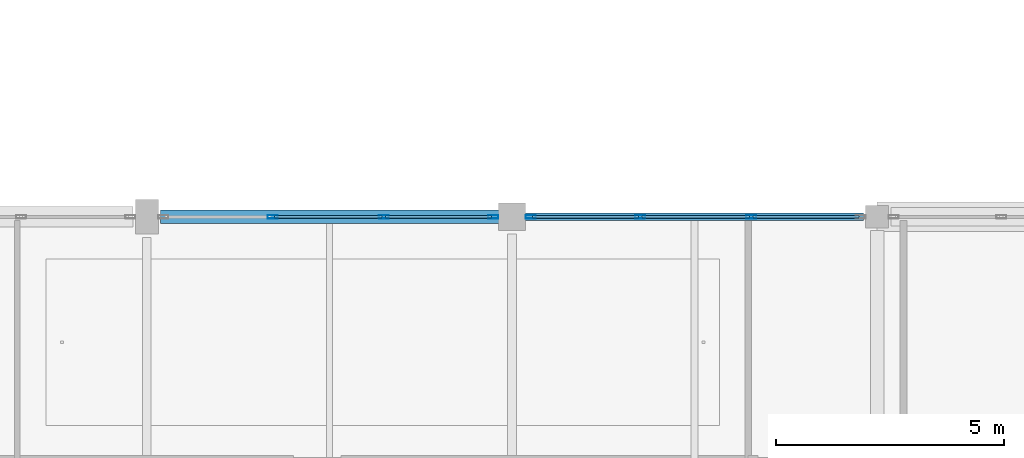
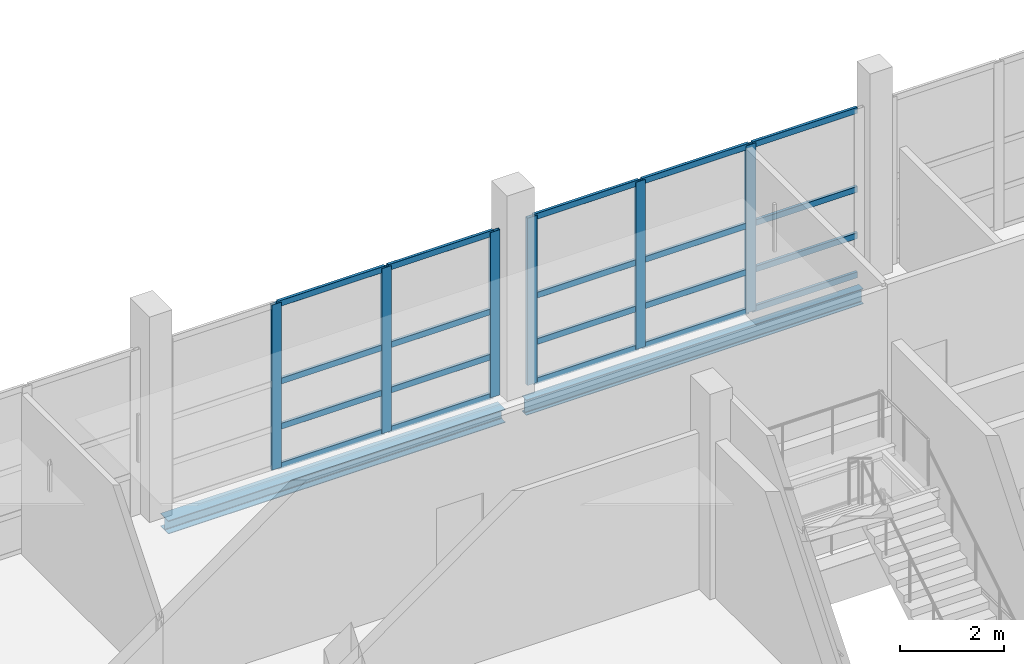
# One storey, part 36 of 141: 26 members, 2 beams, 2 elements without a shape of their own.
"""IFC4 building model written with IfcOpenShell, lengths in metres."""

from ifc_helpers import new_model, si_unit, direction, frame, origin, origin_2d, place, context, subcontext, project, spatial, hollow_rectangle, i_section, extrude, material, material_profile, profile_set, type_object, element, aggregate, save


model = new_model("IFC4")

# Units and contexts
model_context = context("Model", 3, precision=1e-05, world=origin(), true_north=direction((0.0, 1.0)))
body_context = subcontext(model_context, "Body", "Model", "MODEL_VIEW")
ifc_project = project(units=[si_unit("LENGTHUNIT", "METRE"), si_unit("AREAUNIT", "SQUARE_METRE"), si_unit("VOLUMEUNIT", "CUBIC_METRE"), si_unit("PLANEANGLEUNIT", "RADIAN"), si_unit("MASSUNIT", "GRAM", prefix="KILO")], contexts=[model_context])

# Site, building, storey
site_placement = place(None, origin())
site = spatial("IfcSite", under=ifc_project, at=site_placement, CompositionType="ELEMENT")
building_placement = place(site_placement, origin())
building = spatial("IfcBuilding", under=site, at=building_placement, Name="Khelvaren Railside Concert Hall", CompositionType="ELEMENT")
storey_placement = place(building_placement, frame((0.0, 0.0, 10.199951171875)))
storey = spatial("IfcBuildingStorey", under=building, at=storey_placement, Name="L02", CompositionType="ELEMENT", Elevation=10.199951171875)

# Curtain wall, members
ifc_material_1 = material(Name="Double-glazed clear foyer glass", Category="glass")
curtain_wall_type_1 = type_object("IfcCurtainWallType", Name="CW64", PredefinedType="USERDEFINED", material=ifc_material_1)
curtain_wall_1_placement = place(storey_placement, origin())
curtain_wall_1 = element("IfcCurtainWall", 1, at=curtain_wall_1_placement, inside=storey, type_object=curtain_wall_type_1, Name="Unitised Curtain Wall CW-V3-L02-N-112", ObjectType="UNITISED CURTAIN WALL", PredefinedType="USERDEFINED")
ifc_material_2 = material(Name="Anodised architectural aluminium 6063-T6", Category="aluminium")
ifc_material_profile_1 = material_profile(ifc_material_2, hollow_rectangle(XDim=0.074951171875, YDim=0.219970703125, WallThickness=0.0048828125, InnerFilletRadius=0.0029296875, OuterFilletRadius=0.0048828125, at=origin_2d()), Name="CWM 75x220x5")
ifc_profile_set_1 = profile_set([ifc_material_profile_1], Name="Anodised architectural aluminium 6063-T6")
member_type_1 = type_object("IfcMemberType", Name="CWM13", PredefinedType="MULLION", material=ifc_profile_set_1)
member_1_placement = place(storey_placement, frame((114.757568359375, 15.199951171875, 0.0), z_axis=(0.0, 0.0, 1.0), x_axis=(0.0, 1.0, 0.0)))
member_1 = element("IfcMember", 2, at=member_1_placement, type_object=member_type_1, Name="CW64 mullion 2", PredefinedType="MULLION", context=body_context, shape_type="SweptSolid", body=[
    extrude(hollow_rectangle(XDim=0.074951171875, YDim=0.219970703125, WallThickness=0.0048828125, InnerFilletRadius=0.0029296875, OuterFilletRadius=0.0048828125, at=origin_2d()), origin(), (0.0, 0.0, 1.0), 3.860107421875),
])
member_2_placement = place(storey_placement, frame((117.1923828125, 15.199951171875, 0.0), z_axis=(0.0, 0.0, 1.0), x_axis=(0.0, 1.0, 0.0)))
member_2 = element("IfcMember", 3, at=member_2_placement, type_object=member_type_1, Name="CW64 mullion 3", PredefinedType="MULLION", context=body_context, shape_type="SweptSolid", body=[
    extrude(hollow_rectangle(XDim=0.074951171875, YDim=0.219970703125, WallThickness=0.0048828125, InnerFilletRadius=0.0029296875, OuterFilletRadius=0.0048828125, at=origin_2d()), origin(), (0.0, 0.0, 1.0), 3.860107421875),
])
member_3_placement = place(storey_placement, frame((119.590087890625, 15.199951171875, 0.0), z_axis=(0.0, 0.0, 1.0), x_axis=(0.0, 1.0, 0.0)))
member_3 = element("IfcMember", 4, at=member_3_placement, type_object=member_type_1, Name="CW64 mullion 4", PredefinedType="MULLION", context=body_context, shape_type="SweptSolid", body=[
    extrude(hollow_rectangle(XDim=0.074951171875, YDim=0.219970703125, WallThickness=0.0048828125, InnerFilletRadius=0.0029296875, OuterFilletRadius=0.0048828125, at=origin_2d()), origin(), (0.0, 0.0, 1.0), 3.860107421875),
])

curtain_wall_type_2 = type_object("IfcCurtainWallType", Name="CW68", PredefinedType="USERDEFINED", material=ifc_material_1)
curtain_wall_2_placement = place(storey_placement, origin())
curtain_wall_2 = element("IfcCurtainWall", 5, at=curtain_wall_2_placement, inside=storey, type_object=curtain_wall_type_2, Name="Unitised Curtain Wall CW-V3-L02-N-120", ObjectType="UNITISED CURTAIN WALL", PredefinedType="USERDEFINED")
member_4_placement = place(storey_placement, frame((120.409912109375, 15.199951171875, 0.0), z_axis=(0.0, 0.0, 1.0), x_axis=(0.0, 1.0, 0.0)))
member_4 = element("IfcMember", 6, at=member_4_placement, type_object=member_type_1, Name="CW68 mullion 1", PredefinedType="MULLION", context=body_context, shape_type="SweptSolid", body=[
    extrude(hollow_rectangle(XDim=0.074951171875, YDim=0.219970703125, WallThickness=0.0048828125, InnerFilletRadius=0.0029296875, OuterFilletRadius=0.0048828125, at=origin_2d()), origin(), (0.0, 0.0, 1.0), 3.91015625),
])
member_5_placement = place(storey_placement, frame((122.8076171875, 15.199951171875, 0.0), z_axis=(0.0, 0.0, 1.0), x_axis=(0.0, 1.0, 0.0)))
member_5 = element("IfcMember", 7, at=member_5_placement, type_object=member_type_1, Name="CW68 mullion 2", PredefinedType="MULLION", context=body_context, shape_type="SweptSolid", body=[
    extrude(hollow_rectangle(XDim=0.074951171875, YDim=0.219970703125, WallThickness=0.0048828125, InnerFilletRadius=0.0029296875, OuterFilletRadius=0.0048828125, at=origin_2d()), origin(), (0.0, 0.0, 1.0), 3.91015625),
])
member_6_placement = place(storey_placement, frame((125.242431640625, 15.199951171875, 0.0), z_axis=(0.0, 0.0, 1.0), x_axis=(0.0, 1.0, 0.0)))
member_6 = element("IfcMember", 8, at=member_6_placement, type_object=member_type_1, Name="CW68 mullion 3", PredefinedType="MULLION", context=body_context, shape_type="SweptSolid", body=[
    extrude(hollow_rectangle(XDim=0.074951171875, YDim=0.219970703125, WallThickness=0.0048828125, InnerFilletRadius=0.0029296875, OuterFilletRadius=0.0048828125, at=origin_2d()), origin(), (0.0, 0.0, 1.0), 3.91015625),
])

# Member
ifc_material_profile_2 = material_profile(ifc_material_2, hollow_rectangle(XDim=0.06494140625, YDim=0.139892578125, WallThickness=0.00390625, InnerFilletRadius=0.001953125, OuterFilletRadius=0.00390625, at=origin_2d()), Name="CWT 65x140x4")
ifc_profile_set_2 = profile_set([ifc_material_profile_2], Name="Anodised architectural aluminium 6063-T6")
member_type_2 = type_object("IfcMemberType", Name="CWT72", PredefinedType="USERDEFINED", material=ifc_profile_set_2)
member_7_placement = place(storey_placement, frame((114.794921875, 15.199951171875, 0.032470703125), z_axis=(1.0, 0.0, 0.0), x_axis=(0.0, 1.0, 0.0)))
member_7 = element("IfcMember", 9, at=member_7_placement, type_object=member_type_2, Name="CW64 transom 2.1", ObjectType="TRANSOM", PredefinedType="USERDEFINED", context=body_context, shape_type="SweptSolid", body=[
    extrude(hollow_rectangle(XDim=0.06494140625, YDim=0.139892578125, WallThickness=0.00390625, InnerFilletRadius=0.001953125, OuterFilletRadius=0.00390625, at=origin_2d()), origin(), (0.0, 0.0, 1.0), 2.360107421875),
])

member_8_placement = place(storey_placement, frame((114.794921875, 15.199951171875, 0.949951171875), z_axis=(1.0, 0.0, 0.0), x_axis=(0.0, 1.0, 0.0)))
member_8 = element("IfcMember", 10, at=member_8_placement, type_object=member_type_2, Name="CW64 transom 2.2", ObjectType="TRANSOM", PredefinedType="USERDEFINED", context=body_context, shape_type="SweptSolid", body=[
    extrude(hollow_rectangle(XDim=0.06494140625, YDim=0.139892578125, WallThickness=0.00390625, InnerFilletRadius=0.001953125, OuterFilletRadius=0.00390625, at=origin_2d()), origin(), (0.0, 0.0, 1.0), 2.360107421875),
])

member_9_placement = place(storey_placement, frame((114.794921875, 15.199951171875, 2.00732421875), z_axis=(1.0, 0.0, 0.0), x_axis=(0.0, 1.0, 0.0)))
member_9 = element("IfcMember", 11, at=member_9_placement, type_object=member_type_2, Name="CW64 transom 2.3", ObjectType="TRANSOM", PredefinedType="USERDEFINED", context=body_context, shape_type="SweptSolid", body=[
    extrude(hollow_rectangle(XDim=0.06494140625, YDim=0.139892578125, WallThickness=0.00390625, InnerFilletRadius=0.001953125, OuterFilletRadius=0.00390625, at=origin_2d()), origin(), (0.0, 0.0, 1.0), 2.360107421875),
])

member_10_placement = place(storey_placement, frame((114.794921875, 15.199951171875, 3.82763671875), z_axis=(1.0, 0.0, 0.0), x_axis=(0.0, 1.0, 0.0)))
member_10 = element("IfcMember", 12, at=member_10_placement, type_object=member_type_2, Name="CW64 transom 2.4", ObjectType="TRANSOM", PredefinedType="USERDEFINED", context=body_context, shape_type="SweptSolid", body=[
    extrude(hollow_rectangle(XDim=0.06494140625, YDim=0.139892578125, WallThickness=0.00390625, InnerFilletRadius=0.001953125, OuterFilletRadius=0.00390625, at=origin_2d()), origin(), (0.0, 0.0, 1.0), 2.360107421875),
])

member_11_placement = place(storey_placement, frame((117.22998046875, 15.199951171875, 0.032470703125), z_axis=(1.0, 0.0, 0.0), x_axis=(0.0, 1.0, 0.0)))
member_11 = element("IfcMember", 13, at=member_11_placement, type_object=member_type_2, Name="CW64 transom 3.1", ObjectType="TRANSOM", PredefinedType="USERDEFINED", context=body_context, shape_type="SweptSolid", body=[
    extrude(hollow_rectangle(XDim=0.06494140625, YDim=0.139892578125, WallThickness=0.00390625, InnerFilletRadius=0.001953125, OuterFilletRadius=0.00390625, at=origin_2d()), origin(), (0.0, 0.0, 1.0), 2.322509765625),
])

member_12_placement = place(storey_placement, frame((117.22998046875, 15.199951171875, 0.949951171875), z_axis=(1.0, 0.0, 0.0), x_axis=(0.0, 1.0, 0.0)))
member_12 = element("IfcMember", 14, at=member_12_placement, type_object=member_type_2, Name="CW64 transom 3.2", ObjectType="TRANSOM", PredefinedType="USERDEFINED", context=body_context, shape_type="SweptSolid", body=[
    extrude(hollow_rectangle(XDim=0.06494140625, YDim=0.139892578125, WallThickness=0.00390625, InnerFilletRadius=0.001953125, OuterFilletRadius=0.00390625, at=origin_2d()), origin(), (0.0, 0.0, 1.0), 2.322509765625),
])

member_13_placement = place(storey_placement, frame((117.22998046875, 15.199951171875, 2.00732421875), z_axis=(1.0, 0.0, 0.0), x_axis=(0.0, 1.0, 0.0)))
member_13 = element("IfcMember", 15, at=member_13_placement, type_object=member_type_2, Name="CW64 transom 3.3", ObjectType="TRANSOM", PredefinedType="USERDEFINED", context=body_context, shape_type="SweptSolid", body=[
    extrude(hollow_rectangle(XDim=0.06494140625, YDim=0.139892578125, WallThickness=0.00390625, InnerFilletRadius=0.001953125, OuterFilletRadius=0.00390625, at=origin_2d()), origin(), (0.0, 0.0, 1.0), 2.322509765625),
])

member_14_placement = place(storey_placement, frame((117.22998046875, 15.199951171875, 3.82763671875), z_axis=(1.0, 0.0, 0.0), x_axis=(0.0, 1.0, 0.0)))
member_14 = element("IfcMember", 16, at=member_14_placement, type_object=member_type_2, Name="CW64 transom 3.4", ObjectType="TRANSOM", PredefinedType="USERDEFINED", context=body_context, shape_type="SweptSolid", body=[
    extrude(hollow_rectangle(XDim=0.06494140625, YDim=0.139892578125, WallThickness=0.00390625, InnerFilletRadius=0.001953125, OuterFilletRadius=0.00390625, at=origin_2d()), origin(), (0.0, 0.0, 1.0), 2.322509765625),
])

aggregate(curtain_wall_1, [member_1, member_2, member_3, member_7, member_8, member_9, member_10, member_11, member_12, member_13, member_14])

member_15_placement = place(storey_placement, frame((120.447509765625, 15.199951171875, 0.032470703125), z_axis=(1.0, 0.0, 0.0), x_axis=(0.0, 1.0, 0.0)))
member_15 = element("IfcMember", 17, at=member_15_placement, type_object=member_type_2, Name="CW68 transom 1.1", ObjectType="TRANSOM", PredefinedType="USERDEFINED", context=body_context, shape_type="SweptSolid", body=[
    extrude(hollow_rectangle(XDim=0.06494140625, YDim=0.139892578125, WallThickness=0.00390625, InnerFilletRadius=0.001953125, OuterFilletRadius=0.00390625, at=origin_2d()), origin(), (0.0, 0.0, 1.0), 2.322509765625),
])

member_16_placement = place(storey_placement, frame((120.447509765625, 15.199951171875, 0.949951171875), z_axis=(1.0, 0.0, 0.0), x_axis=(0.0, 1.0, 0.0)))
member_16 = element("IfcMember", 18, at=member_16_placement, type_object=member_type_2, Name="CW68 transom 1.2", ObjectType="TRANSOM", PredefinedType="USERDEFINED", context=body_context, shape_type="SweptSolid", body=[
    extrude(hollow_rectangle(XDim=0.06494140625, YDim=0.139892578125, WallThickness=0.00390625, InnerFilletRadius=0.001953125, OuterFilletRadius=0.00390625, at=origin_2d()), origin(), (0.0, 0.0, 1.0), 2.322509765625),
])

member_17_placement = place(storey_placement, frame((120.447509765625, 15.199951171875, 2.033203125), z_axis=(1.0, 0.0, 0.0), x_axis=(0.0, 1.0, 0.0)))
member_17 = element("IfcMember", 19, at=member_17_placement, type_object=member_type_2, Name="CW68 transom 1.3", ObjectType="TRANSOM", PredefinedType="USERDEFINED", context=body_context, shape_type="SweptSolid", body=[
    extrude(hollow_rectangle(XDim=0.06494140625, YDim=0.139892578125, WallThickness=0.00390625, InnerFilletRadius=0.001953125, OuterFilletRadius=0.00390625, at=origin_2d()), origin(), (0.0, 0.0, 1.0), 2.322509765625),
])

member_18_placement = place(storey_placement, frame((120.447509765625, 15.199951171875, 3.87744140625), z_axis=(1.0, 0.0, 0.0), x_axis=(0.0, 1.0, 0.0)))
member_18 = element("IfcMember", 20, at=member_18_placement, type_object=member_type_2, Name="CW68 transom 1.4", ObjectType="TRANSOM", PredefinedType="USERDEFINED", context=body_context, shape_type="SweptSolid", body=[
    extrude(hollow_rectangle(XDim=0.06494140625, YDim=0.139892578125, WallThickness=0.00390625, InnerFilletRadius=0.001953125, OuterFilletRadius=0.00390625, at=origin_2d()), origin(), (0.0, 0.0, 1.0), 2.322509765625),
])

member_19_placement = place(storey_placement, frame((122.844970703125, 15.199951171875, 0.032470703125), z_axis=(1.0, 0.0, 0.0), x_axis=(0.0, 1.0, 0.0)))
member_19 = element("IfcMember", 21, at=member_19_placement, type_object=member_type_2, Name="CW68 transom 2.1", ObjectType="TRANSOM", PredefinedType="USERDEFINED", context=body_context, shape_type="SweptSolid", body=[
    extrude(hollow_rectangle(XDim=0.06494140625, YDim=0.139892578125, WallThickness=0.00390625, InnerFilletRadius=0.001953125, OuterFilletRadius=0.00390625, at=origin_2d()), origin(), (0.0, 0.0, 1.0), 2.360107421875),
])

member_20_placement = place(storey_placement, frame((122.844970703125, 15.199951171875, 0.949951171875), z_axis=(1.0, 0.0, 0.0), x_axis=(0.0, 1.0, 0.0)))
member_20 = element("IfcMember", 22, at=member_20_placement, type_object=member_type_2, Name="CW68 transom 2.2", ObjectType="TRANSOM", PredefinedType="USERDEFINED", context=body_context, shape_type="SweptSolid", body=[
    extrude(hollow_rectangle(XDim=0.06494140625, YDim=0.139892578125, WallThickness=0.00390625, InnerFilletRadius=0.001953125, OuterFilletRadius=0.00390625, at=origin_2d()), origin(), (0.0, 0.0, 1.0), 2.360107421875),
])

member_21_placement = place(storey_placement, frame((122.844970703125, 15.199951171875, 2.033203125), z_axis=(1.0, 0.0, 0.0), x_axis=(0.0, 1.0, 0.0)))
member_21 = element("IfcMember", 23, at=member_21_placement, type_object=member_type_2, Name="CW68 transom 2.3", ObjectType="TRANSOM", PredefinedType="USERDEFINED", context=body_context, shape_type="SweptSolid", body=[
    extrude(hollow_rectangle(XDim=0.06494140625, YDim=0.139892578125, WallThickness=0.00390625, InnerFilletRadius=0.001953125, OuterFilletRadius=0.00390625, at=origin_2d()), origin(), (0.0, 0.0, 1.0), 2.360107421875),
])

member_22_placement = place(storey_placement, frame((122.844970703125, 15.199951171875, 3.87744140625), z_axis=(1.0, 0.0, 0.0), x_axis=(0.0, 1.0, 0.0)))
member_22 = element("IfcMember", 24, at=member_22_placement, type_object=member_type_2, Name="CW68 transom 2.4", ObjectType="TRANSOM", PredefinedType="USERDEFINED", context=body_context, shape_type="SweptSolid", body=[
    extrude(hollow_rectangle(XDim=0.06494140625, YDim=0.139892578125, WallThickness=0.00390625, InnerFilletRadius=0.001953125, OuterFilletRadius=0.00390625, at=origin_2d()), origin(), (0.0, 0.0, 1.0), 2.360107421875),
])

member_23_placement = place(storey_placement, frame((125.280029296875, 15.199951171875, 0.032470703125), z_axis=(1.0, 0.0, 0.0), x_axis=(0.0, 1.0, 0.0)))
member_23 = element("IfcMember", 25, at=member_23_placement, type_object=member_type_2, Name="CW68 transom 3.1", ObjectType="TRANSOM", PredefinedType="USERDEFINED", context=body_context, shape_type="SweptSolid", body=[
    extrude(hollow_rectangle(XDim=0.06494140625, YDim=0.139892578125, WallThickness=0.00390625, InnerFilletRadius=0.001953125, OuterFilletRadius=0.00390625, at=origin_2d()), origin(), (0.0, 0.0, 1.0), 2.322509765625),
])

member_24_placement = place(storey_placement, frame((125.280029296875, 15.199951171875, 0.949951171875), z_axis=(1.0, 0.0, 0.0), x_axis=(0.0, 1.0, 0.0)))
member_24 = element("IfcMember", 26, at=member_24_placement, type_object=member_type_2, Name="CW68 transom 3.2", ObjectType="TRANSOM", PredefinedType="USERDEFINED", context=body_context, shape_type="SweptSolid", body=[
    extrude(hollow_rectangle(XDim=0.06494140625, YDim=0.139892578125, WallThickness=0.00390625, InnerFilletRadius=0.001953125, OuterFilletRadius=0.00390625, at=origin_2d()), origin(), (0.0, 0.0, 1.0), 2.322509765625),
])

member_25_placement = place(storey_placement, frame((125.280029296875, 15.199951171875, 2.033203125), z_axis=(1.0, 0.0, 0.0), x_axis=(0.0, 1.0, 0.0)))
member_25 = element("IfcMember", 27, at=member_25_placement, type_object=member_type_2, Name="CW68 transom 3.3", ObjectType="TRANSOM", PredefinedType="USERDEFINED", context=body_context, shape_type="SweptSolid", body=[
    extrude(hollow_rectangle(XDim=0.06494140625, YDim=0.139892578125, WallThickness=0.00390625, InnerFilletRadius=0.001953125, OuterFilletRadius=0.00390625, at=origin_2d()), origin(), (0.0, 0.0, 1.0), 2.322509765625),
])

member_26_placement = place(storey_placement, frame((125.280029296875, 15.199951171875, 3.87744140625), z_axis=(1.0, 0.0, 0.0), x_axis=(0.0, 1.0, 0.0)))
member_26 = element("IfcMember", 28, at=member_26_placement, type_object=member_type_2, Name="CW68 transom 3.4", ObjectType="TRANSOM", PredefinedType="USERDEFINED", context=body_context, shape_type="SweptSolid", body=[
    extrude(hollow_rectangle(XDim=0.06494140625, YDim=0.139892578125, WallThickness=0.00390625, InnerFilletRadius=0.001953125, OuterFilletRadius=0.00390625, at=origin_2d()), origin(), (0.0, 0.0, 1.0), 2.322509765625),
])

aggregate(curtain_wall_2, [member_4, member_5, member_6, member_15, member_16, member_17, member_18, member_19, member_20, member_21, member_22, member_23, member_24, member_25, member_26])

# Beams
ifc_material_3 = material(Name="Steel S355", Category="steel")
ifc_material_profile_3 = material_profile(ifc_material_3, i_section(OverallWidth=0.300048828125, OverallDepth=0.31005859375, WebThickness=0.009033203125, FlangeThickness=0.015380859375, FilletRadius=0.027099609375, at=origin_2d()), Name="HEA 320")
ifc_profile_set_3 = profile_set([ifc_material_profile_3], Name="Steel S355")
beam_type_1 = type_object("IfcBeamType", Name="SP66", PredefinedType="SPANDREL", material=ifc_profile_set_3)
beam_1_placement = place(storey_placement, frame((112.300048828125, 15.199951171875, -0.445068359375), z_axis=(1.0, 0.0, 0.0), x_axis=(0.0, 1.0, 0.0)))
element("IfcBeam", 29, at=beam_1_placement, inside=storey, type_object=beam_type_1, Name="V3 L02 Spandrel X3.7", PredefinedType="SPANDREL", context=body_context, shape_type="SweptSolid", body=[
    extrude(i_section(OverallWidth=0.300048828125, OverallDepth=0.31005859375, WebThickness=0.009033203125, FlangeThickness=0.015380859375, FilletRadius=0.027099609375, at=origin_2d()), origin(), (0.0, 0.0, 1.0), 7.449951171875),
])
ifc_material_profile_4 = material_profile(ifc_material_3, i_section(OverallWidth=0.169921875, OverallDepth=0.360107421875, WebThickness=0.008056640625, FlangeThickness=0.0126953125, FilletRadius=0.01806640625, at=origin_2d()), Name="IPE 360")
ifc_profile_set_4 = profile_set([ifc_material_profile_4], Name="Steel S355")
beam_type_2 = type_object("IfcBeamType", Name="SP74", PredefinedType="SPANDREL", material=ifc_profile_set_4)
beam_2_placement = place(storey_placement, frame((120.25, 15.199951171875, -0.469970703125), z_axis=(1.0, 0.0, 0.0), x_axis=(0.0, 1.0, 0.0)))
element("IfcBeam", 30, at=beam_2_placement, inside=storey, type_object=beam_type_2, Name="V3 L02 Spandrel X3.8", PredefinedType="SPANDREL", context=body_context, shape_type="SweptSolid", body=[
    extrude(i_section(OverallWidth=0.169921875, OverallDepth=0.360107421875, WebThickness=0.008056640625, FlangeThickness=0.0126953125, FilletRadius=0.01806640625, at=origin_2d()), origin(), (0.0, 0.0, 1.0), 7.449951171875),
])

save(model, "model.ifc")
